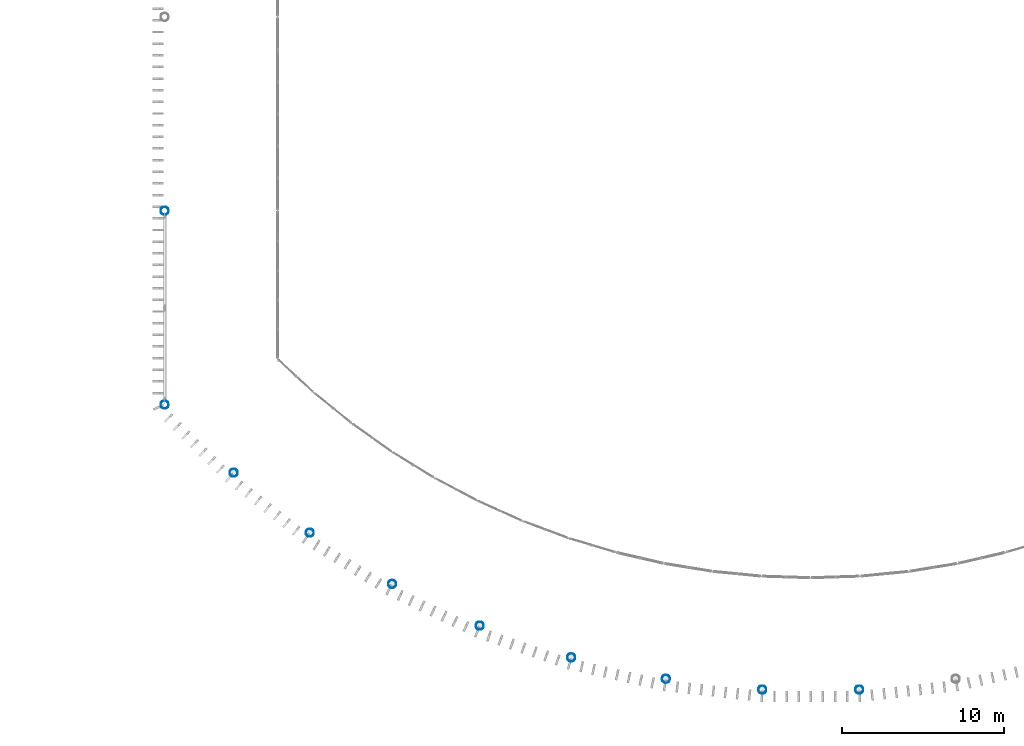
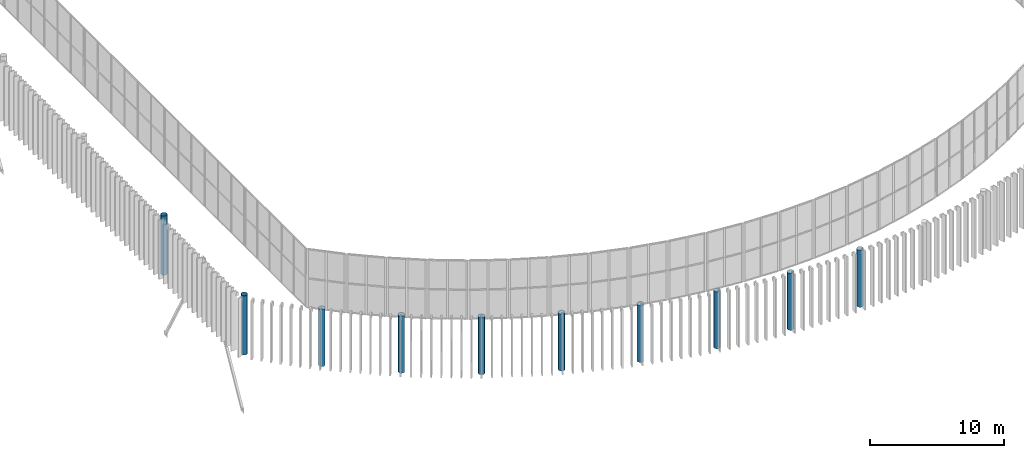
# One storey, part 1 of 170: 10 columns.
"""IFC4 building model written with IfcOpenShell, lengths in metres."""

from ifc_helpers import new_model, si_unit, direction, frame, origin, origin_2d, place, context, subcontext, project, spatial, hollow_circle, extrude, material, material_profile, profile_set, type_object, element, save


model = new_model("IFC4")

# Units and contexts
model_context = context("Model", 3, precision=1e-05, world=origin(), true_north=direction((0.0, 1.0)))
body_context = subcontext(model_context, "Body", "Model", "MODEL_VIEW")
ifc_project = project(units=[si_unit("LENGTHUNIT", "METRE"), si_unit("AREAUNIT", "SQUARE_METRE"), si_unit("VOLUMEUNIT", "CUBIC_METRE"), si_unit("PLANEANGLEUNIT", "RADIAN"), si_unit("MASSUNIT", "GRAM", prefix="KILO")], contexts=[model_context])

# Site, building, storey
site_placement = place(None, origin())
site = spatial("IfcSite", under=ifc_project, at=site_placement, CompositionType="ELEMENT")
building_placement = place(site_placement, origin())
building = spatial("IfcBuilding", under=site, at=building_placement, Name="Ravi Spectrum Wholesale Market", CompositionType="ELEMENT")
storey_placement = place(building_placement, frame((0.0, 0.0, 5.39990234375)))
storey = spatial("IfcBuildingStorey", under=building, at=storey_placement, Name="L01", CompositionType="ELEMENT", Elevation=5.39990234375)

# Columns
ifc_material = material(Name="Steel S355", Category="steel")
ifc_material_profile = material_profile(ifc_material, hollow_circle(Radius=0.25390625, WallThickness=0.01611328125, at=origin_2d()))
ifc_profile_set = profile_set([ifc_material_profile], Name="Steel S355")
column_type = type_object("IfcColumnType", Name="CHS 508x16 column", PredefinedType="COLUMN", material=ifc_profile_set)
for number, where, z_axis, x_axis, name in (
    (1, (30.0, 30.0, 0.0), (0.0, 0.0, 1.0), (1.0, 0.0, 0.0), "H1-COL-L01-001"),
    (2, (30.0, 42.0, 0.0), (0.0, 0.0, 1.0), (1.0, 0.0, 0.0), "H1-COL-L01-002"),
):
    element("IfcColumn", number, at=place(storey_placement, frame(where, z_axis=z_axis, x_axis=x_axis)), inside=storey, type_object=column_type, Name=name, PredefinedType="COLUMN", context=body_context, shape_type="SweptSolid", body=[
        extrude(hollow_circle(Radius=0.25390625, WallThickness=0.01611328125, at=origin_2d()), origin(), (0.0, 0.0, 1.0), 5.400146484375),
    ])
for number, where, z_axis, x_axis, name in (
    (3, (34.273681640625, 25.784423828125, 0.0), (0.0, 0.0, 1.0), (1.0, 0.0, 0.0), "H1-COL-L01-031"),
    (4, (38.98876953125, 22.069091796875, 0.0), (0.0, 0.0, 1.0), (1.0, 0.0, 0.0), "H1-COL-L01-032"),
    (5, (44.087158203125, 18.900390625, 0.0), (0.0, 0.0, 1.0), (1.0, 0.0, 0.0), "H1-COL-L01-033"),
    (6, (49.505859375, 16.31689453125, 0.0), (0.0, 0.0, 1.0), (1.0, 0.0, 0.0), "H1-COL-L01-034"),
    (7, (55.177734375, 14.350830078125, 0.0), (0.0, 0.0, 1.0), (1.0, 0.0, 0.0), "H1-COL-L01-035"),
    (8, (61.03271484375, 13.0263671875, 0.0), (0.0, 0.0, 1.0), (1.0, 0.0, 0.0), "H1-COL-L01-036"),
    (9, (66.99853515625, 12.360107421875, 0.0), (0.0, 0.0, 1.0), (1.0, 0.0, 0.0), "H1-COL-L01-037"),
    (10, (73.00146484375, 12.360107421875, 0.0), (0.0, 0.0, 1.0), (1.0, 0.0, 0.0), "H1-COL-L01-038"),
):
    element("IfcColumn", number, at=place(storey_placement, frame(where, z_axis=z_axis, x_axis=x_axis)), inside=storey, type_object=column_type, Name=name, PredefinedType="COLUMN", context=body_context, shape_type="SweptSolid", body=[
        extrude(hollow_circle(Radius=0.25390625, WallThickness=0.01611328125, at=origin_2d()), origin(), (0.0, 0.0, 1.0), 5.2001953125),
    ])

save(model, "model.ifc")
